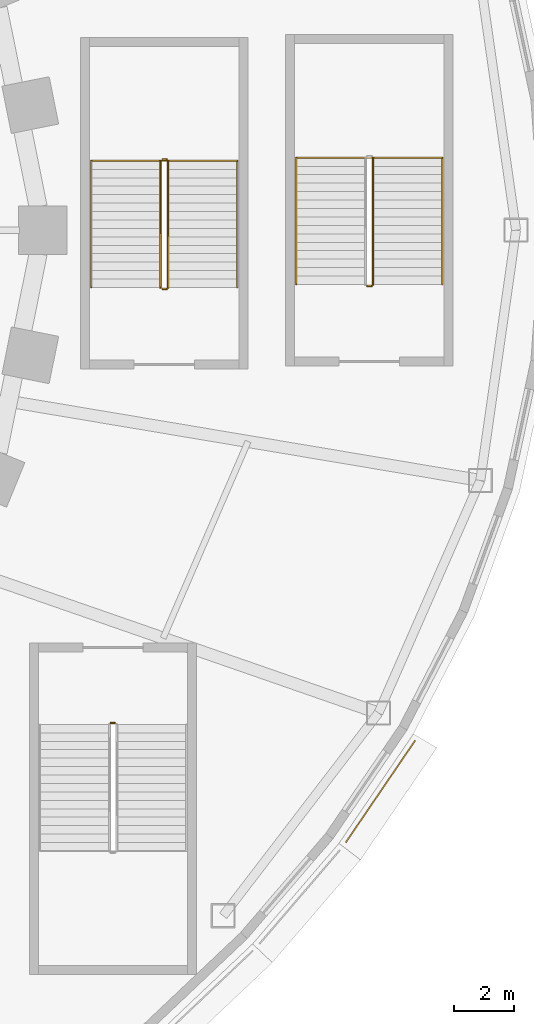
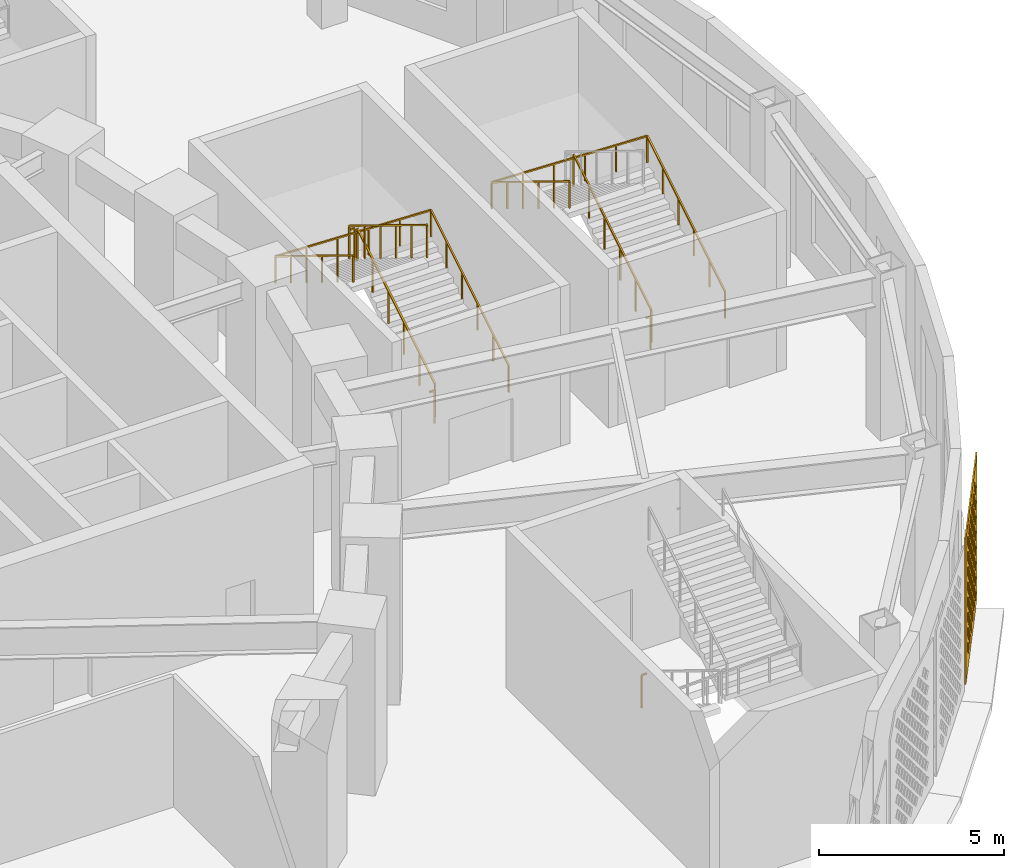
# One storey, part 67 of 69: 9 railings, 1 covering.
"""IFC4 building model written with IfcOpenShell, lengths in metres."""

from ifc_helpers import new_model, si_unit, direction, frame, origin, origin_2d, place, context, subcontext, project, spatial, polyline, rectangle, outline, extrude, material, layer, layer_set, type_object, element, save


model = new_model("IFC4")

# Units and contexts
model_context = context("Model", 3, precision=1e-05, world=origin(), true_north=direction((0.0, 1.0)))
body_context = subcontext(model_context, "Body", "Model", "MODEL_VIEW")
ifc_project = project(units=[si_unit("LENGTHUNIT", "METRE"), si_unit("AREAUNIT", "SQUARE_METRE"), si_unit("VOLUMEUNIT", "CUBIC_METRE"), si_unit("PLANEANGLEUNIT", "RADIAN"), si_unit("MASSUNIT", "GRAM", prefix="KILO")], contexts=[model_context])

# Site, building, storey
site_placement = place(None, origin())
site = spatial("IfcSite", under=ifc_project, at=site_placement, CompositionType="ELEMENT")
building_placement = place(site_placement, origin())
building = spatial("IfcBuilding", under=site, at=building_placement, Name="Noorbagh Ring Tower", CompositionType="ELEMENT")
storey_placement = place(building_placement, frame((0.0, 0.0, 19.5)))
storey = spatial("IfcBuildingStorey", under=building, at=storey_placement, Name="L03", CompositionType="ELEMENT", Elevation=19.5)

# Railings
ifc_material_1 = material(Name="Stainless steel", Category="steel")
railing_type_1 = type_object("IfcRailingType", Name="GND-STAIR-GUARD", PredefinedType="GUARDRAIL", material=ifc_material_1)
railing_1_placement = place(storey_placement, frame((39.10009765625, -1.89990234375, 0.171875)))
element("IfcRailing", 1, at=railing_1_placement, inside=storey, type_object=railing_type_1, Name="L03 ST-P2 stair guard", PredefinedType="GUARDRAIL", context=body_context, shape_type="SweptSolid", body=[
    extrude(rectangle(XDim=0.048095703125, YDim=0.048095703125, at=origin_2d()), frame((0.0, 0.0, 1.076171875), z_axis=(0.0, 0.852242915053, 0.523146264196), x_axis=(-1.0, 0.0, 0.0)), (0.0, 0.0, 1.0), 4.92822265625),
    extrude(rectangle(XDim=0.0419921875, YDim=0.0419921875, at=origin_2d()), origin(), (0.0, 0.0, 1.0), 1.052001953125),
    extrude(rectangle(XDim=0.0419921875, YDim=0.0419921875, at=origin_2d()), frame((0.0, 0.840087890625, 0.515625)), (0.0, 0.0, 1.0), 1.052001953125),
    extrude(rectangle(XDim=0.0419921875, YDim=0.0419921875, at=origin_2d()), frame((0.0, 1.679931640625, 1.03125)), (0.0, 0.0, 1.0), 1.052001953125),
    extrude(rectangle(XDim=0.0419921875, YDim=0.0419921875, at=origin_2d()), frame((0.0, 2.52001953125, 1.546875)), (0.0, 0.0, 1.0), 1.052001953125),
    extrude(rectangle(XDim=0.0419921875, YDim=0.0419921875, at=origin_2d()), frame((0.0, 3.35986328125, 2.0625)), (0.0, 0.0, 1.0), 1.052001953125),
    extrude(rectangle(XDim=0.0419921875, YDim=0.0419921875, at=origin_2d()), frame((0.0, 4.199951171875, 2.578125)), (0.0, 0.0, 1.0), 1.052001953125),
])
railing_2_placement = place(storey_placement, frame((39.050048828125, 2.35009765625, 2.75)))
element("IfcRailing", 2, at=railing_2_placement, inside=storey, type_object=railing_type_1, Name="L03 ST-P2 stair guard", PredefinedType="GUARDRAIL", context=body_context, shape_type="SweptSolid", body=[
    extrude(rectangle(XDim=0.048095703125, YDim=0.048095703125, at=origin_2d()), frame((0.0, 0.0, 1.076171875), z_axis=(-1.0, 0.0, 0.0), x_axis=(0.0, -1.0, 0.0)), (0.0, 0.0, 1.0), 0.150146484375),
    extrude(rectangle(XDim=0.0419921875, YDim=0.0419921875, at=origin_2d()), origin(), (0.0, 0.0, 1.0), 1.052001953125),
])
railing_3_placement = place(storey_placement, frame((38.85009765625, 2.300048828125, 2.921875)))
element("IfcRailing", 3, at=railing_3_placement, inside=storey, type_object=railing_type_1, Name="L03 ST-P2 stair guard", PredefinedType="GUARDRAIL", context=body_context, shape_type="SweptSolid", body=[
    extrude(rectangle(XDim=0.048095703125, YDim=0.048095703125, at=origin_2d()), frame((0.0, 0.0, 1.076171875), z_axis=(0.0, -0.852242915053, 0.523146264196), x_axis=(1.0, 0.0, 0.0)), (0.0, 0.0, 1.0), 4.92822265625),
    extrude(rectangle(XDim=0.0419921875, YDim=0.0419921875, at=origin_2d()), origin(), (0.0, 0.0, 1.0), 1.052001953125),
    extrude(rectangle(XDim=0.0419921875, YDim=0.0419921875, at=origin_2d()), frame((0.0, -0.840087890625, 0.515625)), (0.0, 0.0, 1.0), 1.052001953125),
    extrude(rectangle(XDim=0.0419921875, YDim=0.0419921875, at=origin_2d()), frame((0.0, -1.679931640625, 1.03125)), (0.0, 0.0, 1.0), 1.052001953125),
    extrude(rectangle(XDim=0.0419921875, YDim=0.0419921875, at=origin_2d()), frame((0.0, -2.52001953125, 1.546875)), (0.0, 0.0, 1.0), 1.052001953125),
    extrude(rectangle(XDim=0.0419921875, YDim=0.0419921875, at=origin_2d()), frame((0.0, -3.35986328125, 2.0625)), (0.0, 0.0, 1.0), 1.052001953125),
    extrude(rectangle(XDim=0.0419921875, YDim=0.0419921875, at=origin_2d()), frame((0.0, -4.199951171875, 2.578125)), (0.0, 0.0, 1.0), 1.052001953125),
])
railing_4_placement = place(storey_placement, frame((39.050048828125, -1.949951171875, 0.0)))
element("IfcRailing", 4, at=railing_4_placement, inside=storey, type_object=railing_type_1, Name="L03 ST-P2 stair guard", PredefinedType="GUARDRAIL", context=body_context, shape_type="SweptSolid", body=[
    extrude(rectangle(XDim=0.048095703125, YDim=0.048095703125, at=origin_2d()), frame((0.0, 0.0, 1.076171875), z_axis=(-1.0, 0.0, 0.0), x_axis=(0.0, -1.0, 0.0)), (0.0, 0.0, 1.0), 0.150146484375),
    extrude(rectangle(XDim=0.0419921875, YDim=0.0419921875, at=origin_2d()), origin(), (0.0, 0.0, 1.0), 1.052001953125),
])
railing_5_placement = place(storey_placement, frame((45.89990234375, -1.800048828125, 0.171875)))
element("IfcRailing", 5, at=railing_5_placement, inside=storey, type_object=railing_type_1, Name="L03 ST-P4 stair guard", PredefinedType="GUARDRAIL", context=body_context, shape_type="SweptSolid", body=[
    extrude(rectangle(XDim=0.048095703125, YDim=0.048095703125, at=origin_2d()), frame((0.0, 0.0, 1.076171875), z_axis=(0.0, 0.852242915053, 0.523146264196), x_axis=(-1.0, 0.0, 0.0)), (0.0, 0.0, 1.0), 4.92822265625),
    extrude(rectangle(XDim=0.0419921875, YDim=0.0419921875, at=origin_2d()), origin(), (0.0, 0.0, 1.0), 1.052001953125),
    extrude(rectangle(XDim=0.0419921875, YDim=0.0419921875, at=origin_2d()), frame((0.0, 0.840087890625, 0.515625)), (0.0, 0.0, 1.0), 1.052001953125),
    extrude(rectangle(XDim=0.0419921875, YDim=0.0419921875, at=origin_2d()), frame((0.0, 1.679931640625, 1.03125)), (0.0, 0.0, 1.0), 1.052001953125),
    extrude(rectangle(XDim=0.0419921875, YDim=0.0419921875, at=origin_2d()), frame((0.0, 2.52001953125, 1.546875)), (0.0, 0.0, 1.0), 1.052001953125),
    extrude(rectangle(XDim=0.0419921875, YDim=0.0419921875, at=origin_2d()), frame((0.0, 3.35986328125, 2.0625)), (0.0, 0.0, 1.0), 1.052001953125),
    extrude(rectangle(XDim=0.0419921875, YDim=0.0419921875, at=origin_2d()), frame((0.0, 4.199951171875, 2.578125)), (0.0, 0.0, 1.0), 1.052001953125),
])
railing_6_placement = place(storey_placement, frame((45.85009765625, -1.85009765625, 0.0)))
element("IfcRailing", 6, at=railing_6_placement, inside=storey, type_object=railing_type_1, Name="L03 ST-P4 stair guard", PredefinedType="GUARDRAIL", context=body_context, shape_type="SweptSolid", body=[
    extrude(rectangle(XDim=0.048095703125, YDim=0.048095703125, at=origin_2d()), frame((0.0, 0.0, 1.076171875), z_axis=(-1.0, 0.0, 0.0), x_axis=(0.0, -1.0, 0.0)), (0.0, 0.0, 1.0), 0.150146484375),
    extrude(rectangle(XDim=0.0419921875, YDim=0.0419921875, at=origin_2d()), origin(), (0.0, 0.0, 1.0), 1.052001953125),
])
railing_7_placement = place(storey_placement, frame((37.199951171875, -16.35009765625, 0.0)))
element("IfcRailing", 7, at=railing_7_placement, inside=storey, type_object=railing_type_1, Name="L03 ST-P6 stair guard", PredefinedType="GUARDRAIL", context=body_context, shape_type="SweptSolid", body=[
    extrude(rectangle(XDim=0.048095703125, YDim=0.048095703125, at=origin_2d()), frame((0.0, 0.0, 1.076171875), z_axis=(1.0, 0.0, 0.0), x_axis=(0.0, 1.0, 0.0)), (0.0, 0.0, 1.0), 0.150146484375),
    extrude(rectangle(XDim=0.0419921875, YDim=0.0419921875, at=origin_2d()), origin(), (0.0, 0.0, 1.0), 1.052001953125),
])
ifc_material_2 = material(Name="Stainless steel", Category="steel")
railing_type_2 = type_object("IfcRailingType", Name="GND-STAIR-HANDRAIL", PredefinedType="HANDRAIL", material=ifc_material_2)
railing_8_placement = place(storey_placement, frame((41.39990234375, -1.89990234375, 0.171875)))
element("IfcRailing", 8, at=railing_8_placement, inside=storey, type_object=railing_type_2, Name="L03 ST-P2 stair handrail", PredefinedType="HANDRAIL", context=body_context, shape_type="SweptSolid", body=[
    extrude(rectangle(XDim=0.048095703125, YDim=0.048095703125, at=origin_2d()), frame((0.0, 0.0, 0.8759765625), z_axis=(0.0, 0.852242915053, 0.523146264196), x_axis=(-1.0, 0.0, 0.0)), (0.0, 0.0, 1.0), 4.92822265625),
    extrude(rectangle(XDim=0.048095703125, YDim=0.048095703125, at=origin_2d()), frame((0.0, 4.199951171875, 3.4541015625), z_axis=(-0.99937262193, 0.0, 0.035416980913), x_axis=(0.0, -1.0, 0.0)), (0.0, 0.0, 1.0), 4.852783203125),
    extrude(rectangle(XDim=0.048095703125, YDim=0.048095703125, at=origin_2d()), frame((-4.849853515625, 4.199951171875, 3.6259765625), z_axis=(0.0, -0.852242915053, 0.523146264196), x_axis=(1.0, 0.0, 0.0)), (0.0, 0.0, 1.0), 4.92822265625),
    extrude(rectangle(XDim=0.0419921875, YDim=0.0419921875, at=origin_2d()), origin(), (0.0, 0.0, 1.0), 0.851806640625),
    extrude(rectangle(XDim=0.0419921875, YDim=0.0419921875, at=origin_2d()), frame((0.0, 0.840087890625, 0.515625)), (0.0, 0.0, 1.0), 0.851806640625),
    extrude(rectangle(XDim=0.0419921875, YDim=0.0419921875, at=origin_2d()), frame((0.0, 1.679931640625, 1.03125)), (0.0, 0.0, 1.0), 0.851806640625),
    extrude(rectangle(XDim=0.0419921875, YDim=0.0419921875, at=origin_2d()), frame((0.0, 2.52001953125, 1.546875)), (0.0, 0.0, 1.0), 0.851806640625),
    extrude(rectangle(XDim=0.0419921875, YDim=0.0419921875, at=origin_2d()), frame((0.0, 3.35986328125, 2.0625)), (0.0, 0.0, 1.0), 0.851806640625),
    extrude(rectangle(XDim=0.0419921875, YDim=0.0419921875, at=origin_2d()), frame((0.0, 4.199951171875, 2.578125)), (0.0, 0.0, 1.0), 0.851806640625),
    extrude(rectangle(XDim=0.0419921875, YDim=0.0419921875, at=origin_2d()), frame((-0.969970703125, 4.199951171875, 2.612548828125)), (0.0, 0.0, 1.0), 0.851806640625),
    extrude(rectangle(XDim=0.0419921875, YDim=0.0419921875, at=origin_2d()), frame((-1.93994140625, 4.199951171875, 2.64697265625)), (0.0, 0.0, 1.0), 0.851806640625),
    extrude(rectangle(XDim=0.0419921875, YDim=0.0419921875, at=origin_2d()), frame((-2.909912109375, 4.199951171875, 2.68115234375)), (0.0, 0.0, 1.0), 0.851806640625),
    extrude(rectangle(XDim=0.0419921875, YDim=0.0419921875, at=origin_2d()), frame((-3.8798828125, 4.199951171875, 2.715576171875)), (0.0, 0.0, 1.0), 0.851806640625),
    extrude(rectangle(XDim=0.0419921875, YDim=0.0419921875, at=origin_2d()), frame((-4.849853515625, 4.199951171875, 2.75)), (0.0, 0.0, 1.0), 0.851806640625),
    extrude(rectangle(XDim=0.0419921875, YDim=0.0419921875, at=origin_2d()), frame((-4.849853515625, 3.35986328125, 3.265625)), (0.0, 0.0, 1.0), 0.851806640625),
    extrude(rectangle(XDim=0.0419921875, YDim=0.0419921875, at=origin_2d()), frame((-4.849853515625, 2.52001953125, 3.78125)), (0.0, 0.0, 1.0), 0.851806640625),
    extrude(rectangle(XDim=0.0419921875, YDim=0.0419921875, at=origin_2d()), frame((-4.849853515625, 1.679931640625, 4.296875)), (0.0, 0.0, 1.0), 0.851806640625),
    extrude(rectangle(XDim=0.0419921875, YDim=0.0419921875, at=origin_2d()), frame((-4.849853515625, 0.840087890625, 4.8125)), (0.0, 0.0, 1.0), 0.851806640625),
    extrude(rectangle(XDim=0.0419921875, YDim=0.0419921875, at=origin_2d()), frame((-4.849853515625, 0.0, 5.328125)), (0.0, 0.0, 1.0), 0.851806640625),
])
railing_9_placement = place(storey_placement, frame((48.199951171875, -1.800048828125, 0.171875)))
element("IfcRailing", 9, at=railing_9_placement, inside=storey, type_object=railing_type_2, Name="L03 ST-P4 stair handrail", PredefinedType="HANDRAIL", context=body_context, shape_type="SweptSolid", body=[
    extrude(rectangle(XDim=0.048095703125, YDim=0.048095703125, at=origin_2d()), frame((0.0, 0.0, 0.8759765625), z_axis=(0.0, 0.852242915053, 0.523146264196), x_axis=(-1.0, 0.0, 0.0)), (0.0, 0.0, 1.0), 4.92822265625),
    extrude(rectangle(XDim=0.048095703125, YDim=0.048095703125, at=origin_2d()), frame((0.0, 4.199951171875, 3.4541015625), z_axis=(-0.99937262193, 0.0, 0.035416980913), x_axis=(0.0, -1.0, 0.0)), (0.0, 0.0, 1.0), 4.852783203125),
    extrude(rectangle(XDim=0.048095703125, YDim=0.048095703125, at=origin_2d()), frame((-4.849853515625, 4.199951171875, 3.6259765625), z_axis=(0.0, -0.852242915053, 0.523146264196), x_axis=(1.0, 0.0, 0.0)), (0.0, 0.0, 1.0), 4.92822265625),
    extrude(rectangle(XDim=0.0419921875, YDim=0.0419921875, at=origin_2d()), origin(), (0.0, 0.0, 1.0), 0.851806640625),
    extrude(rectangle(XDim=0.0419921875, YDim=0.0419921875, at=origin_2d()), frame((0.0, 0.840087890625, 0.515625)), (0.0, 0.0, 1.0), 0.851806640625),
    extrude(rectangle(XDim=0.0419921875, YDim=0.0419921875, at=origin_2d()), frame((0.0, 1.679931640625, 1.03125)), (0.0, 0.0, 1.0), 0.851806640625),
    extrude(rectangle(XDim=0.0419921875, YDim=0.0419921875, at=origin_2d()), frame((0.0, 2.52001953125, 1.546875)), (0.0, 0.0, 1.0), 0.851806640625),
    extrude(rectangle(XDim=0.0419921875, YDim=0.0419921875, at=origin_2d()), frame((0.0, 3.35986328125, 2.0625)), (0.0, 0.0, 1.0), 0.851806640625),
    extrude(rectangle(XDim=0.0419921875, YDim=0.0419921875, at=origin_2d()), frame((0.0, 4.199951171875, 2.578125)), (0.0, 0.0, 1.0), 0.851806640625),
    extrude(rectangle(XDim=0.0419921875, YDim=0.0419921875, at=origin_2d()), frame((-0.969970703125, 4.199951171875, 2.612548828125)), (0.0, 0.0, 1.0), 0.851806640625),
    extrude(rectangle(XDim=0.0419921875, YDim=0.0419921875, at=origin_2d()), frame((-1.93994140625, 4.199951171875, 2.64697265625)), (0.0, 0.0, 1.0), 0.851806640625),
    extrude(rectangle(XDim=0.0419921875, YDim=0.0419921875, at=origin_2d()), frame((-2.909912109375, 4.199951171875, 2.68115234375)), (0.0, 0.0, 1.0), 0.851806640625),
    extrude(rectangle(XDim=0.0419921875, YDim=0.0419921875, at=origin_2d()), frame((-3.8798828125, 4.199951171875, 2.715576171875)), (0.0, 0.0, 1.0), 0.851806640625),
    extrude(rectangle(XDim=0.0419921875, YDim=0.0419921875, at=origin_2d()), frame((-4.849853515625, 4.199951171875, 2.75)), (0.0, 0.0, 1.0), 0.851806640625),
    extrude(rectangle(XDim=0.0419921875, YDim=0.0419921875, at=origin_2d()), frame((-4.849853515625, 3.35986328125, 3.265625)), (0.0, 0.0, 1.0), 0.851806640625),
    extrude(rectangle(XDim=0.0419921875, YDim=0.0419921875, at=origin_2d()), frame((-4.849853515625, 2.52001953125, 3.78125)), (0.0, 0.0, 1.0), 0.851806640625),
    extrude(rectangle(XDim=0.0419921875, YDim=0.0419921875, at=origin_2d()), frame((-4.849853515625, 1.679931640625, 4.296875)), (0.0, 0.0, 1.0), 0.851806640625),
    extrude(rectangle(XDim=0.0419921875, YDim=0.0419921875, at=origin_2d()), frame((-4.849853515625, 0.840087890625, 4.8125)), (0.0, 0.0, 1.0), 0.851806640625),
    extrude(rectangle(XDim=0.0419921875, YDim=0.0419921875, at=origin_2d()), frame((-4.849853515625, 0.0, 5.328125)), (0.0, 0.0, 1.0), 0.851806640625),
])

# Covering
ifc_material_3 = material(Name="Red sandstone jali", Category="masonry")
ifc_layer = layer(ifc_material_3, 0.0400390625)
ifc_layer_set = layer_set([ifc_layer], Name="Red sandstone jali")
covering_type = type_object("IfcCoveringType", Name="STY-JALI", PredefinedType="USERDEFINED", material=ifc_layer_set)
covering_placement = place(storey_placement, frame((45.01123046875, -20.329833984375, 0.449951171875), z_axis=(0.826637007867, -0.562735512675, 0.0), x_axis=(0.562735512675, 0.826637007867, 0.0)))
element("IfcCovering", 10, at=covering_placement, inside=storey, type_object=covering_type, Name="Jali screen", ObjectType="SCREEN", PredefinedType="USERDEFINED", context=body_context, shape_type="SweptSolid", body=[
    extrude(outline(polyline([(0.0, 0.0), (4.095458984375, 0.0), (4.095458984375, 4.800048828125), (0.0, 4.800048828125), (0.0, 0.0)]), holes=[polyline([(0.74267578125, 0.52490234375), (0.922607421875, 0.344970703125), (1.102783203125, 0.52490234375), (0.922607421875, 0.705078125), (0.74267578125, 0.52490234375)]), polyline([(1.24267578125, 0.52490234375), (1.422607421875, 0.344970703125), (1.602783203125, 0.52490234375), (1.422607421875, 0.705078125), (1.24267578125, 0.52490234375)]), polyline([(1.74267578125, 0.52490234375), (1.922607421875, 0.344970703125), (2.102783203125, 0.52490234375), (1.922607421875, 0.705078125), (1.74267578125, 0.52490234375)]), polyline([(2.24267578125, 0.52490234375), (2.422607421875, 0.344970703125), (2.602783203125, 0.52490234375), (2.422607421875, 0.705078125), (2.24267578125, 0.52490234375)]), polyline([(2.74267578125, 0.52490234375), (2.922607421875, 0.344970703125), (3.102783203125, 0.52490234375), (2.922607421875, 0.705078125), (2.74267578125, 0.52490234375)]), polyline([(3.24267578125, 0.52490234375), (3.422607421875, 0.344970703125), (3.602783203125, 0.52490234375), (3.422607421875, 0.705078125), (3.24267578125, 0.52490234375)]), polyline([(0.49267578125, 0.77490234375), (0.672607421875, 0.594970703125), (0.852783203125, 0.77490234375), (0.672607421875, 0.955078125), (0.49267578125, 0.77490234375)]), polyline([(0.99267578125, 0.77490234375), (1.172607421875, 0.594970703125), (1.352783203125, 0.77490234375), (1.172607421875, 0.955078125), (0.99267578125, 0.77490234375)]), polyline([(1.49267578125, 0.77490234375), (1.672607421875, 0.594970703125), (1.852783203125, 0.77490234375), (1.672607421875, 0.955078125), (1.49267578125, 0.77490234375)]), polyline([(1.99267578125, 0.77490234375), (2.172607421875, 0.594970703125), (2.352783203125, 0.77490234375), (2.172607421875, 0.955078125), (1.99267578125, 0.77490234375)]), polyline([(2.49267578125, 0.77490234375), (2.672607421875, 0.594970703125), (2.852783203125, 0.77490234375), (2.672607421875, 0.955078125), (2.49267578125, 0.77490234375)]), polyline([(2.99267578125, 0.77490234375), (3.172607421875, 0.594970703125), (3.352783203125, 0.77490234375), (3.172607421875, 0.955078125), (2.99267578125, 0.77490234375)]), polyline([(0.74267578125, 1.02490234375), (0.922607421875, 0.844970703125), (1.102783203125, 1.02490234375), (0.922607421875, 1.205078125), (0.74267578125, 1.02490234375)]), polyline([(1.24267578125, 1.02490234375), (1.422607421875, 0.844970703125), (1.602783203125, 1.02490234375), (1.422607421875, 1.205078125), (1.24267578125, 1.02490234375)]), polyline([(1.74267578125, 1.02490234375), (1.922607421875, 0.844970703125), (2.102783203125, 1.02490234375), (1.922607421875, 1.205078125), (1.74267578125, 1.02490234375)]), polyline([(2.24267578125, 1.02490234375), (2.422607421875, 0.844970703125), (2.602783203125, 1.02490234375), (2.422607421875, 1.205078125), (2.24267578125, 1.02490234375)]), polyline([(2.74267578125, 1.02490234375), (2.922607421875, 0.844970703125), (3.102783203125, 1.02490234375), (2.922607421875, 1.205078125), (2.74267578125, 1.02490234375)]), polyline([(3.24267578125, 1.02490234375), (3.422607421875, 0.844970703125), (3.602783203125, 1.02490234375), (3.422607421875, 1.205078125), (3.24267578125, 1.02490234375)]), polyline([(0.49267578125, 1.27490234375), (0.672607421875, 1.094970703125), (0.852783203125, 1.27490234375), (0.672607421875, 1.455078125), (0.49267578125, 1.27490234375)]), polyline([(0.99267578125, 1.27490234375), (1.172607421875, 1.094970703125), (1.352783203125, 1.27490234375), (1.172607421875, 1.455078125), (0.99267578125, 1.27490234375)]), polyline([(1.49267578125, 1.27490234375), (1.672607421875, 1.094970703125), (1.852783203125, 1.27490234375), (1.672607421875, 1.455078125), (1.49267578125, 1.27490234375)]), polyline([(1.99267578125, 1.27490234375), (2.172607421875, 1.094970703125), (2.352783203125, 1.27490234375), (2.172607421875, 1.455078125), (1.99267578125, 1.27490234375)]), polyline([(2.49267578125, 1.27490234375), (2.672607421875, 1.094970703125), (2.852783203125, 1.27490234375), (2.672607421875, 1.455078125), (2.49267578125, 1.27490234375)]), polyline([(2.99267578125, 1.27490234375), (3.172607421875, 1.094970703125), (3.352783203125, 1.27490234375), (3.172607421875, 1.455078125), (2.99267578125, 1.27490234375)]), polyline([(0.74267578125, 1.52490234375), (0.922607421875, 1.344970703125), (1.102783203125, 1.52490234375), (0.922607421875, 1.705078125), (0.74267578125, 1.52490234375)]), polyline([(1.24267578125, 1.52490234375), (1.422607421875, 1.344970703125), (1.602783203125, 1.52490234375), (1.422607421875, 1.705078125), (1.24267578125, 1.52490234375)]), polyline([(1.74267578125, 1.52490234375), (1.922607421875, 1.344970703125), (2.102783203125, 1.52490234375), (1.922607421875, 1.705078125), (1.74267578125, 1.52490234375)]), polyline([(2.24267578125, 1.52490234375), (2.422607421875, 1.344970703125), (2.602783203125, 1.52490234375), (2.422607421875, 1.705078125), (2.24267578125, 1.52490234375)]), polyline([(2.74267578125, 1.52490234375), (2.922607421875, 1.344970703125), (3.102783203125, 1.52490234375), (2.922607421875, 1.705078125), (2.74267578125, 1.52490234375)]), polyline([(3.24267578125, 1.52490234375), (3.422607421875, 1.344970703125), (3.602783203125, 1.52490234375), (3.422607421875, 1.705078125), (3.24267578125, 1.52490234375)]), polyline([(0.49267578125, 1.77490234375), (0.672607421875, 1.594970703125), (0.852783203125, 1.77490234375), (0.672607421875, 1.955078125), (0.49267578125, 1.77490234375)]), polyline([(0.99267578125, 1.77490234375), (1.172607421875, 1.594970703125), (1.352783203125, 1.77490234375), (1.172607421875, 1.955078125), (0.99267578125, 1.77490234375)]), polyline([(1.49267578125, 1.77490234375), (1.672607421875, 1.594970703125), (1.852783203125, 1.77490234375), (1.672607421875, 1.955078125), (1.49267578125, 1.77490234375)]), polyline([(1.99267578125, 1.77490234375), (2.172607421875, 1.594970703125), (2.352783203125, 1.77490234375), (2.172607421875, 1.955078125), (1.99267578125, 1.77490234375)]), polyline([(2.49267578125, 1.77490234375), (2.672607421875, 1.594970703125), (2.852783203125, 1.77490234375), (2.672607421875, 1.955078125), (2.49267578125, 1.77490234375)]), polyline([(2.99267578125, 1.77490234375), (3.172607421875, 1.594970703125), (3.352783203125, 1.77490234375), (3.172607421875, 1.955078125), (2.99267578125, 1.77490234375)]), polyline([(0.74267578125, 2.02490234375), (0.922607421875, 1.844970703125), (1.102783203125, 2.02490234375), (0.922607421875, 2.205078125), (0.74267578125, 2.02490234375)]), polyline([(1.24267578125, 2.02490234375), (1.422607421875, 1.844970703125), (1.602783203125, 2.02490234375), (1.422607421875, 2.205078125), (1.24267578125, 2.02490234375)]), polyline([(1.74267578125, 2.02490234375), (1.922607421875, 1.844970703125), (2.102783203125, 2.02490234375), (1.922607421875, 2.205078125), (1.74267578125, 2.02490234375)]), polyline([(2.24267578125, 2.02490234375), (2.422607421875, 1.844970703125), (2.602783203125, 2.02490234375), (2.422607421875, 2.205078125), (2.24267578125, 2.02490234375)]), polyline([(2.74267578125, 2.02490234375), (2.922607421875, 1.844970703125), (3.102783203125, 2.02490234375), (2.922607421875, 2.205078125), (2.74267578125, 2.02490234375)]), polyline([(3.24267578125, 2.02490234375), (3.422607421875, 1.844970703125), (3.602783203125, 2.02490234375), (3.422607421875, 2.205078125), (3.24267578125, 2.02490234375)]), polyline([(0.49267578125, 2.27490234375), (0.672607421875, 2.094970703125), (0.852783203125, 2.27490234375), (0.672607421875, 2.455078125), (0.49267578125, 2.27490234375)]), polyline([(0.99267578125, 2.27490234375), (1.172607421875, 2.094970703125), (1.352783203125, 2.27490234375), (1.172607421875, 2.455078125), (0.99267578125, 2.27490234375)]), polyline([(1.49267578125, 2.27490234375), (1.672607421875, 2.094970703125), (1.852783203125, 2.27490234375), (1.672607421875, 2.455078125), (1.49267578125, 2.27490234375)]), polyline([(1.99267578125, 2.27490234375), (2.172607421875, 2.094970703125), (2.352783203125, 2.27490234375), (2.172607421875, 2.455078125), (1.99267578125, 2.27490234375)]), polyline([(2.49267578125, 2.27490234375), (2.672607421875, 2.094970703125), (2.852783203125, 2.27490234375), (2.672607421875, 2.455078125), (2.49267578125, 2.27490234375)]), polyline([(2.99267578125, 2.27490234375), (3.172607421875, 2.094970703125), (3.352783203125, 2.27490234375), (3.172607421875, 2.455078125), (2.99267578125, 2.27490234375)]), polyline([(0.74267578125, 2.52490234375), (0.922607421875, 2.344970703125), (1.102783203125, 2.52490234375), (0.922607421875, 2.705078125), (0.74267578125, 2.52490234375)]), polyline([(1.24267578125, 2.52490234375), (1.422607421875, 2.344970703125), (1.602783203125, 2.52490234375), (1.422607421875, 2.705078125), (1.24267578125, 2.52490234375)]), polyline([(1.74267578125, 2.52490234375), (1.922607421875, 2.344970703125), (2.102783203125, 2.52490234375), (1.922607421875, 2.705078125), (1.74267578125, 2.52490234375)]), polyline([(2.24267578125, 2.52490234375), (2.422607421875, 2.344970703125), (2.602783203125, 2.52490234375), (2.422607421875, 2.705078125), (2.24267578125, 2.52490234375)]), polyline([(2.74267578125, 2.52490234375), (2.922607421875, 2.344970703125), (3.102783203125, 2.52490234375), (2.922607421875, 2.705078125), (2.74267578125, 2.52490234375)]), polyline([(3.24267578125, 2.52490234375), (3.422607421875, 2.344970703125), (3.602783203125, 2.52490234375), (3.422607421875, 2.705078125), (3.24267578125, 2.52490234375)]), polyline([(0.49267578125, 2.77490234375), (0.672607421875, 2.594970703125), (0.852783203125, 2.77490234375), (0.672607421875, 2.955078125), (0.49267578125, 2.77490234375)]), polyline([(0.99267578125, 2.77490234375), (1.172607421875, 2.594970703125), (1.352783203125, 2.77490234375), (1.172607421875, 2.955078125), (0.99267578125, 2.77490234375)]), polyline([(1.49267578125, 2.77490234375), (1.672607421875, 2.594970703125), (1.852783203125, 2.77490234375), (1.672607421875, 2.955078125), (1.49267578125, 2.77490234375)]), polyline([(1.99267578125, 2.77490234375), (2.172607421875, 2.594970703125), (2.352783203125, 2.77490234375), (2.172607421875, 2.955078125), (1.99267578125, 2.77490234375)]), polyline([(2.49267578125, 2.77490234375), (2.672607421875, 2.594970703125), (2.852783203125, 2.77490234375), (2.672607421875, 2.955078125), (2.49267578125, 2.77490234375)]), polyline([(2.99267578125, 2.77490234375), (3.172607421875, 2.594970703125), (3.352783203125, 2.77490234375), (3.172607421875, 2.955078125), (2.99267578125, 2.77490234375)]), polyline([(0.74267578125, 3.02490234375), (0.922607421875, 2.844970703125), (1.102783203125, 3.02490234375), (0.922607421875, 3.205078125), (0.74267578125, 3.02490234375)]), polyline([(1.24267578125, 3.02490234375), (1.422607421875, 2.844970703125), (1.602783203125, 3.02490234375), (1.422607421875, 3.205078125), (1.24267578125, 3.02490234375)]), polyline([(1.74267578125, 3.02490234375), (1.922607421875, 2.844970703125), (2.102783203125, 3.02490234375), (1.922607421875, 3.205078125), (1.74267578125, 3.02490234375)]), polyline([(2.24267578125, 3.02490234375), (2.422607421875, 2.844970703125), (2.602783203125, 3.02490234375), (2.422607421875, 3.205078125), (2.24267578125, 3.02490234375)]), polyline([(2.74267578125, 3.02490234375), (2.922607421875, 2.844970703125), (3.102783203125, 3.02490234375), (2.922607421875, 3.205078125), (2.74267578125, 3.02490234375)]), polyline([(3.24267578125, 3.02490234375), (3.422607421875, 2.844970703125), (3.602783203125, 3.02490234375), (3.422607421875, 3.205078125), (3.24267578125, 3.02490234375)]), polyline([(0.49267578125, 3.27490234375), (0.672607421875, 3.094970703125), (0.852783203125, 3.27490234375), (0.672607421875, 3.455078125), (0.49267578125, 3.27490234375)]), polyline([(0.99267578125, 3.27490234375), (1.172607421875, 3.094970703125), (1.352783203125, 3.27490234375), (1.172607421875, 3.455078125), (0.99267578125, 3.27490234375)]), polyline([(1.49267578125, 3.27490234375), (1.672607421875, 3.094970703125), (1.852783203125, 3.27490234375), (1.672607421875, 3.455078125), (1.49267578125, 3.27490234375)]), polyline([(1.99267578125, 3.27490234375), (2.172607421875, 3.094970703125), (2.352783203125, 3.27490234375), (2.172607421875, 3.455078125), (1.99267578125, 3.27490234375)]), polyline([(2.49267578125, 3.27490234375), (2.672607421875, 3.094970703125), (2.852783203125, 3.27490234375), (2.672607421875, 3.455078125), (2.49267578125, 3.27490234375)]), polyline([(2.99267578125, 3.27490234375), (3.172607421875, 3.094970703125), (3.352783203125, 3.27490234375), (3.172607421875, 3.455078125), (2.99267578125, 3.27490234375)]), polyline([(0.74267578125, 3.52490234375), (0.922607421875, 3.344970703125), (1.102783203125, 3.52490234375), (0.922607421875, 3.705078125), (0.74267578125, 3.52490234375)]), polyline([(1.24267578125, 3.52490234375), (1.422607421875, 3.344970703125), (1.602783203125, 3.52490234375), (1.422607421875, 3.705078125), (1.24267578125, 3.52490234375)]), polyline([(1.74267578125, 3.52490234375), (1.922607421875, 3.344970703125), (2.102783203125, 3.52490234375), (1.922607421875, 3.705078125), (1.74267578125, 3.52490234375)]), polyline([(2.24267578125, 3.52490234375), (2.422607421875, 3.344970703125), (2.602783203125, 3.52490234375), (2.422607421875, 3.705078125), (2.24267578125, 3.52490234375)]), polyline([(2.74267578125, 3.52490234375), (2.922607421875, 3.344970703125), (3.102783203125, 3.52490234375), (2.922607421875, 3.705078125), (2.74267578125, 3.52490234375)]), polyline([(3.24267578125, 3.52490234375), (3.422607421875, 3.344970703125), (3.602783203125, 3.52490234375), (3.422607421875, 3.705078125), (3.24267578125, 3.52490234375)]), polyline([(0.49267578125, 3.77490234375), (0.672607421875, 3.594970703125), (0.852783203125, 3.77490234375), (0.672607421875, 3.955078125), (0.49267578125, 3.77490234375)]), polyline([(0.99267578125, 3.77490234375), (1.172607421875, 3.594970703125), (1.352783203125, 3.77490234375), (1.172607421875, 3.955078125), (0.99267578125, 3.77490234375)]), polyline([(1.49267578125, 3.77490234375), (1.672607421875, 3.594970703125), (1.852783203125, 3.77490234375), (1.672607421875, 3.955078125), (1.49267578125, 3.77490234375)]), polyline([(1.99267578125, 3.77490234375), (2.172607421875, 3.594970703125), (2.352783203125, 3.77490234375), (2.172607421875, 3.955078125), (1.99267578125, 3.77490234375)]), polyline([(2.49267578125, 3.77490234375), (2.672607421875, 3.594970703125), (2.852783203125, 3.77490234375), (2.672607421875, 3.955078125), (2.49267578125, 3.77490234375)]), polyline([(2.99267578125, 3.77490234375), (3.172607421875, 3.594970703125), (3.352783203125, 3.77490234375), (3.172607421875, 3.955078125), (2.99267578125, 3.77490234375)]), polyline([(0.74267578125, 4.02490234375), (0.922607421875, 3.844970703125), (1.102783203125, 4.02490234375), (0.922607421875, 4.205078125), (0.74267578125, 4.02490234375)]), polyline([(1.24267578125, 4.02490234375), (1.422607421875, 3.844970703125), (1.602783203125, 4.02490234375), (1.422607421875, 4.205078125), (1.24267578125, 4.02490234375)]), polyline([(1.74267578125, 4.02490234375), (1.922607421875, 3.844970703125), (2.102783203125, 4.02490234375), (1.922607421875, 4.205078125), (1.74267578125, 4.02490234375)]), polyline([(2.24267578125, 4.02490234375), (2.422607421875, 3.844970703125), (2.602783203125, 4.02490234375), (2.422607421875, 4.205078125), (2.24267578125, 4.02490234375)]), polyline([(2.74267578125, 4.02490234375), (2.922607421875, 3.844970703125), (3.102783203125, 4.02490234375), (2.922607421875, 4.205078125), (2.74267578125, 4.02490234375)]), polyline([(3.24267578125, 4.02490234375), (3.422607421875, 3.844970703125), (3.602783203125, 4.02490234375), (3.422607421875, 4.205078125), (3.24267578125, 4.02490234375)]), polyline([(0.49267578125, 4.27490234375), (0.672607421875, 4.094970703125), (0.852783203125, 4.27490234375), (0.672607421875, 4.455078125), (0.49267578125, 4.27490234375)]), polyline([(0.99267578125, 4.27490234375), (1.172607421875, 4.094970703125), (1.352783203125, 4.27490234375), (1.172607421875, 4.455078125), (0.99267578125, 4.27490234375)]), polyline([(1.49267578125, 4.27490234375), (1.672607421875, 4.094970703125), (1.852783203125, 4.27490234375), (1.672607421875, 4.455078125), (1.49267578125, 4.27490234375)]), polyline([(1.99267578125, 4.27490234375), (2.172607421875, 4.094970703125), (2.352783203125, 4.27490234375), (2.172607421875, 4.455078125), (1.99267578125, 4.27490234375)]), polyline([(2.49267578125, 4.27490234375), (2.672607421875, 4.094970703125), (2.852783203125, 4.27490234375), (2.672607421875, 4.455078125), (2.49267578125, 4.27490234375)]), polyline([(2.99267578125, 4.27490234375), (3.172607421875, 4.094970703125), (3.352783203125, 4.27490234375), (3.172607421875, 4.455078125), (2.99267578125, 4.27490234375)])]), origin(), (0.0, 0.0, -1.0), 0.0400390625),
])

save(model, "model.ifc")
